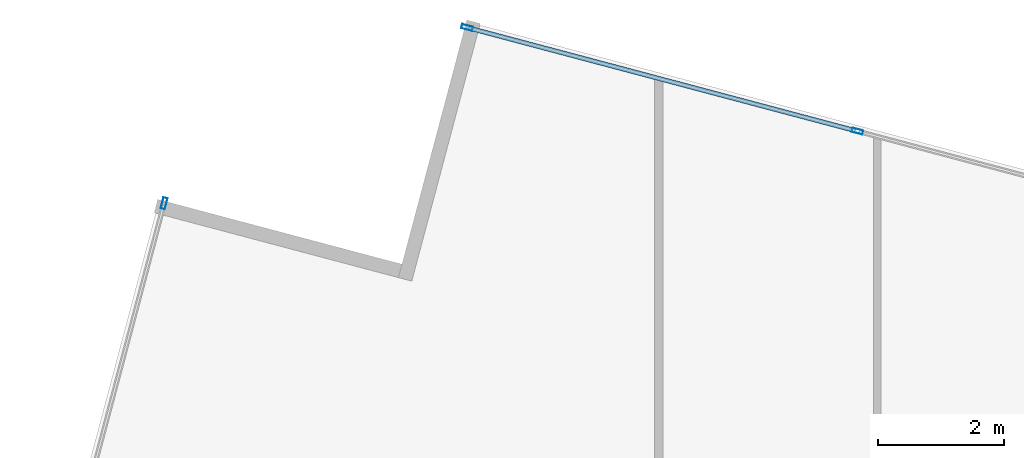
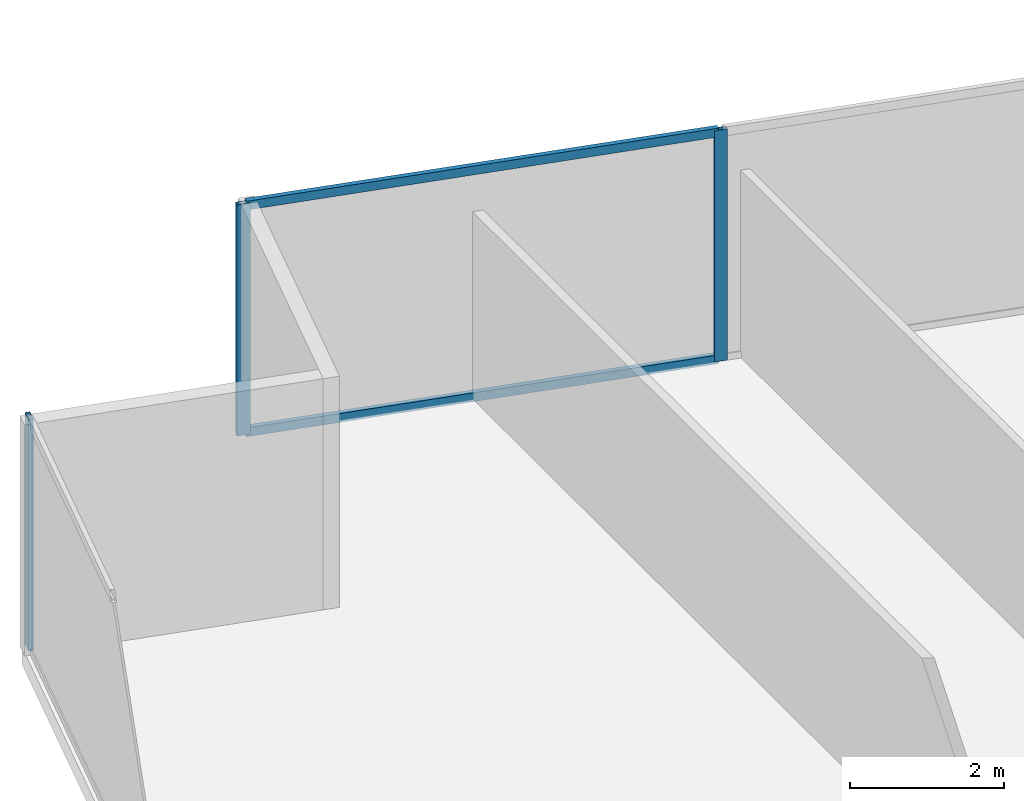
# One storey, part 17 of 27: 5 members, 2 elements without a shape of their own.
"""IFC4 building model written with IfcOpenShell, lengths in metres."""

from ifc_helpers import new_model, si_unit, direction, frame, origin, origin_2d, place, context, subcontext, project, spatial, hollow_rectangle, extrude, source, transform, mapped, material, material_profile, profile_set, type_object, type_shapes, element, aggregate, save


model = new_model("IFC4")

# Units and contexts
model_context = context("Model", 3, precision=1e-05, world=origin(), true_north=direction((0.0, 1.0)))
body_context = subcontext(model_context, "Body", "Model", "MODEL_VIEW")
ifc_project = project(units=[si_unit("LENGTHUNIT", "METRE"), si_unit("AREAUNIT", "SQUARE_METRE"), si_unit("VOLUMEUNIT", "CUBIC_METRE"), si_unit("PLANEANGLEUNIT", "RADIAN"), si_unit("MASSUNIT", "GRAM", prefix="KILO")], contexts=[model_context])

# Site, building, storey
site_placement = place(None, origin())
site = spatial("IfcSite", under=ifc_project, at=site_placement, CompositionType="ELEMENT")
building_placement = place(site_placement, origin())
building = spatial("IfcBuilding", under=site, at=building_placement, Name="Krantzveldt Concourse Tower", CompositionType="ELEMENT")
storey_placement = place(building_placement, frame((0.0, 0.0, 101.89990234375)))
storey = spatial("IfcBuildingStorey", under=building, at=storey_placement, Name="L24", CompositionType="ELEMENT", Elevation=101.89990234375)

# Curtain wall, member
ifc_material = material(Name="Anodised aluminium 6063-T6", Category="aluminium")
curtain_wall_type = type_object("IfcCurtainWallType", Name="CW2", PredefinedType="USERDEFINED", material=ifc_material)
curtain_wall_1_placement = place(storey_placement, origin())
curtain_wall_1 = element("IfcCurtainWall", 1, at=curtain_wall_1_placement, inside=storey, type_object=curtain_wall_type, Name="CW-L24-F01", ObjectType="UNITISED CURTAIN WALL", PredefinedType="USERDEFINED")
ifc_material_profile_1 = material_profile(ifc_material, hollow_rectangle(XDim=0.070068359375, YDim=0.179931640625, WallThickness=0.0048828125, at=origin_2d()), Name="Anodised aluminium 6063-T6", Category="aluminium")
ifc_profile_set_1 = profile_set([ifc_material_profile_1], Name="Anodised aluminium 6063-T6 - ALU-MULL 180x70x5")
member_type_1 = type_object("IfcMemberType", Name="CW-MUL-180", PredefinedType="MULLION", material=ifc_profile_set_1)
shared_shape_1 = source(origin(), body_context, "Body", "SweptSolid", [
    extrude(hollow_rectangle(XDim=0.070068359375, YDim=0.179931640625, WallThickness=0.0048828125, at=origin_2d()), origin(), (0.0, 0.0, 1.0), 3.670166015625),
])
type_shapes(member_type_1, [shared_shape_1])
member_1_placement = place(storey_placement, frame((18.4423828125, 51.39990234375, 0.0), z_axis=(0.0, 0.0, 1.0), x_axis=(0.966488186373, -0.256711093648, 0.0)))
member_1 = element("IfcMember", 2, at=member_1_placement, type_object=member_type_1, Name="CW-Z12 mullion 1", PredefinedType="MULLION", context=body_context, shape_type="MappedRepresentation", body=[
    mapped(shared_shape_1, transform((0.0, 0.0, 0.0), x_axis=(1.0, 0.0, 0.0), y_axis=(0.0, 1.0, 0.0), z_axis=(0.0, 0.0, 1.0), scale=1.0)),
])
aggregate(curtain_wall_1, [member_1])

# Curtain wall, members
curtain_wall_2_placement = place(storey_placement, origin())
curtain_wall_2 = element("IfcCurtainWall", 3, at=curtain_wall_2_placement, inside=storey, type_object=curtain_wall_type, Name="CW-L24-F14", ObjectType="UNITISED CURTAIN WALL", PredefinedType="USERDEFINED")
member_2_placement = place(storey_placement, frame((29.484130859375, 52.549072265625, 0.0), z_axis=(0.0, 0.0, 1.0), x_axis=(-0.256711093648, -0.966488186373, 0.0)))
member_2 = element("IfcMember", 4, at=member_2_placement, type_object=member_type_1, Name="CW-Z12 mullion 6", PredefinedType="MULLION", context=body_context, shape_type="MappedRepresentation", body=[
    mapped(shared_shape_1, transform((0.0, 0.0, 0.0), x_axis=(1.0, 0.0, 0.0), y_axis=(0.0, 1.0, 0.0), z_axis=(0.0, 0.0, 1.0), scale=1.0)),
])
member_3_placement = place(storey_placement, frame((23.267822265625, 54.199951171875, 0.0), z_axis=(0.0, 0.0, 1.0), x_axis=(-0.256711093648, -0.966488186373, 0.0)))
member_3 = element("IfcMember", 5, at=member_3_placement, type_object=member_type_1, Name="CW-Z12 mullion 7", PredefinedType="MULLION", context=body_context, shape_type="MappedRepresentation", body=[
    mapped(shared_shape_1, transform((0.0, 0.0, 0.0), x_axis=(1.0, 0.0, 0.0), y_axis=(0.0, 1.0, 0.0), z_axis=(0.0, 0.0, 1.0), scale=1.0)),
])
ifc_material_profile_2 = material_profile(ifc_material, hollow_rectangle(XDim=0.070068359375, YDim=0.139892578125, WallThickness=0.0048828125, at=origin_2d()), Name="Anodised aluminium 6063-T6", Category="aluminium")
ifc_profile_set_2 = profile_set([ifc_material_profile_2], Name="Anodised aluminium 6063-T6 - ALU-TRAN 140x70x5")
member_type_2 = type_object("IfcMemberType", Name="CW-TRN-150", PredefinedType="USERDEFINED", material=ifc_profile_set_2)
shared_shape_2 = source(origin(), body_context, "Body", "SweptSolid", [
    extrude(hollow_rectangle(XDim=0.070068359375, YDim=0.139892578125, WallThickness=0.0048828125, at=origin_2d()), origin(), (0.0, 0.0, 1.0), 6.361572265625),
])
type_shapes(member_type_2, [shared_shape_2])
member_4_placement = place(storey_placement, frame((29.4501953125, 52.557861328125, 0.03515625), z_axis=(-0.966480365766, 0.256740535538, 0.0), x_axis=(-0.256740535538, -0.966480365766, 0.0)))
member_4 = element("IfcMember", 6, at=member_4_placement, type_object=member_type_2, Name="CW-Z12 transom 6.1", ObjectType="TRANSOM", PredefinedType="USERDEFINED", context=body_context, shape_type="MappedRepresentation", body=[
    mapped(shared_shape_2, transform((0.0, 0.0, 0.0), x_axis=(1.0, 0.0, 0.0), y_axis=(0.0, 1.0, 0.0), z_axis=(0.0, 0.0, 1.0), scale=1.0)),
])
member_5_placement = place(storey_placement, frame((29.4501953125, 52.557861328125, 3.635009765625), z_axis=(-0.966480365766, 0.256740535538, 0.0), x_axis=(-0.256740535538, -0.966480365766, 0.0)))
member_5 = element("IfcMember", 7, at=member_5_placement, type_object=member_type_2, Name="CW-Z12 transom 6.2", ObjectType="TRANSOM", PredefinedType="USERDEFINED", context=body_context, shape_type="MappedRepresentation", body=[
    mapped(shared_shape_2, transform((0.0, 0.0, 0.0), x_axis=(1.0, 0.0, 0.0), y_axis=(0.0, 1.0, 0.0), z_axis=(0.0, 0.0, 1.0), scale=1.0)),
])
aggregate(curtain_wall_2, [member_2, member_3, member_4, member_5])

save(model, "model.ifc")
